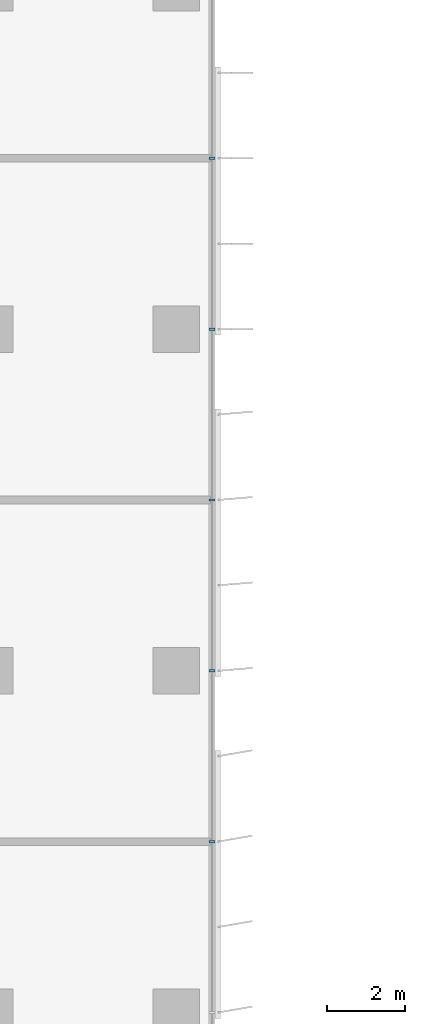
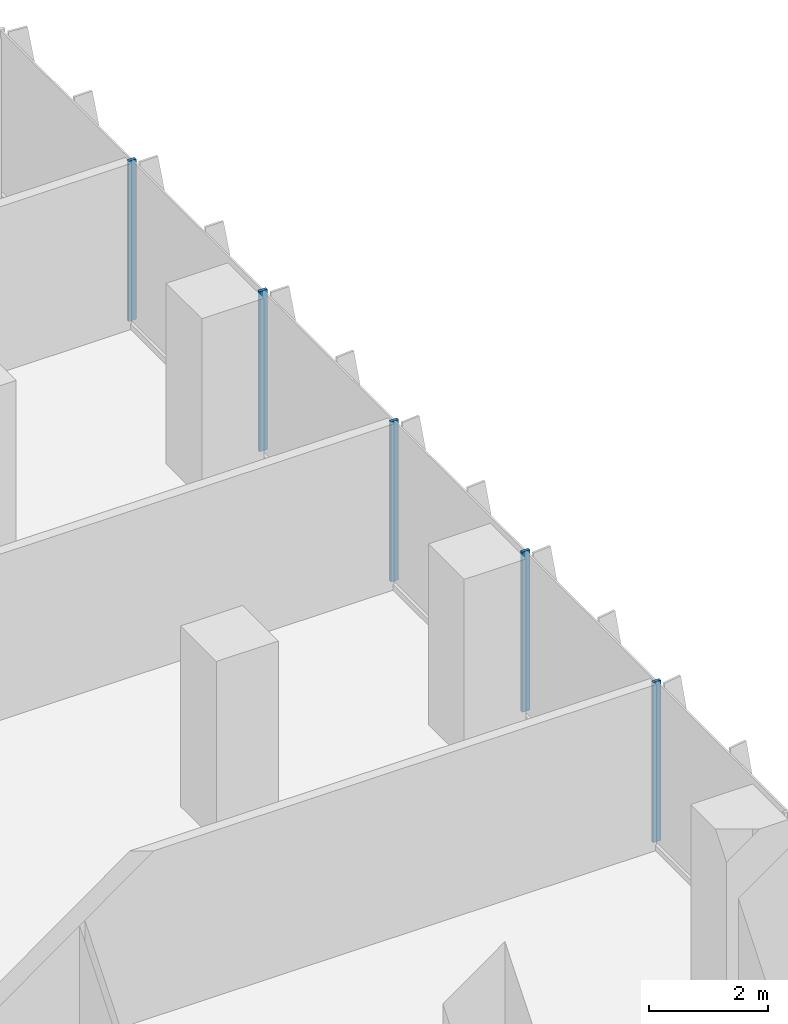
# One storey, part 5 of 22: 5 members, 1 element without a shape of its own.
"""IFC4 building model written with IfcOpenShell, lengths in metres."""

from ifc_helpers import new_model, si_unit, direction, frame, origin, origin_2d, place, context, subcontext, project, spatial, rectangle, extrude, source, transform, mapped, material, material_profile, profile_set, type_object, element, aggregate, save


model = new_model("IFC4")

# Units and contexts
model_context = context("Model", 3, precision=1e-05, world=origin(), true_north=direction((0.0, 1.0)))
body_context = subcontext(model_context, "Body", "Model", "MODEL_VIEW")
ifc_project = project(units=[si_unit("LENGTHUNIT", "METRE"), si_unit("AREAUNIT", "SQUARE_METRE"), si_unit("VOLUMEUNIT", "CUBIC_METRE"), si_unit("PLANEANGLEUNIT", "RADIAN"), si_unit("MASSUNIT", "GRAM", prefix="KILO")], contexts=[model_context])

# Site, building, storey
site_placement = place(None, origin())
site = spatial("IfcSite", under=ifc_project, at=site_placement, CompositionType="ELEMENT")
building_placement = place(site_placement, origin())
building = spatial("IfcBuilding", under=site, at=building_placement, Name="Kemantara Hotel Tower", CompositionType="ELEMENT")
storey_placement = place(building_placement, frame((0.0, 0.0, 145.699951171875)))
storey = spatial("IfcBuildingStorey", under=building, at=storey_placement, Name="L35", CompositionType="ELEMENT", Elevation=145.699951171875)

# Curtain wall, members
ifc_material_1 = material(Name="Low-E tinted double insulated glass 36 mm", Category="glass")
curtain_wall_type = type_object("IfcCurtainWallType", Name="TOWER CURTAIN WALL, FRONT FACES", PredefinedType="USERDEFINED", material=ifc_material_1)
curtain_wall_placement = place(storey_placement, origin())
curtain_wall = element("IfcCurtainWall", 1, at=curtain_wall_placement, inside=storey, type_object=curtain_wall_type, Name="CW4 L35 T2-R14-1", ObjectType="TOWER CURTAIN WALL, FRONT FACES", PredefinedType="USERDEFINED")
ifc_material_2 = material(Name="Aluminium 6063-T6 bronze anodised", Category="aluminium")
ifc_material_profile = material_profile(ifc_material_2, rectangle(XDim=0.14990234375, YDim=0.06005859375, at=origin_2d()), Name="TOWER CURTAIN WALL, FRONT FACES MULLION")
ifc_profile_set = profile_set([ifc_material_profile], Name="Aluminium 6063-T6 bronze anodised")
member_type = type_object("IfcMemberType", Name="TOWER CURTAIN WALL, FRONT FACES MULLION", PredefinedType="MULLION", material=ifc_profile_set)
shared_shape = source(origin(), body_context, "Body", "SweptSolid", [
    extrude(rectangle(XDim=0.14990234375, YDim=0.06005859375, at=origin_2d()), origin(), (0.0, 0.0, 1.0), 3.280029296875),
])
member_1_placement = place(storey_placement, frame((26.72509765625, 31.800048828125, 0.1201171875), z_axis=(0.0, 0.0, 1.0), x_axis=(-1.0, 0.0, 0.0)))
member_1 = element("IfcMember", 2, at=member_1_placement, type_object=member_type, Name="CW4 mullion T2-R14-1.4", PredefinedType="MULLION", context=body_context, shape_type="MappedRepresentation", body=[
    mapped(shared_shape, transform((0.0, 0.0, 0.0))),
])
member_2_placement = place(storey_placement, frame((26.72509765625, 36.199951171875, 0.1201171875), z_axis=(0.0, 0.0, 1.0), x_axis=(-1.0, 0.0, 0.0)))
member_2 = element("IfcMember", 3, at=member_2_placement, type_object=member_type, Name="CW4 mullion T2-R14-1.5", PredefinedType="MULLION", context=body_context, shape_type="MappedRepresentation", body=[
    mapped(shared_shape, transform((0.0, 0.0, 0.0))),
])
member_3_placement = place(storey_placement, frame((26.72509765625, 40.60009765625, 0.1201171875), z_axis=(0.0, 0.0, 1.0), x_axis=(-1.0, 0.0, 0.0)))
member_3 = element("IfcMember", 4, at=member_3_placement, type_object=member_type, Name="CW4 mullion T2-R14-1.6", PredefinedType="MULLION", context=body_context, shape_type="MappedRepresentation", body=[
    mapped(shared_shape, transform((0.0, 0.0, 0.0))),
])
member_4_placement = place(storey_placement, frame((26.72509765625, 45.0, 0.1201171875), z_axis=(0.0, 0.0, 1.0), x_axis=(-1.0, 0.0, 0.0)))
member_4 = element("IfcMember", 5, at=member_4_placement, type_object=member_type, Name="CW4 mullion T2-R14-1.7", PredefinedType="MULLION", context=body_context, shape_type="MappedRepresentation", body=[
    mapped(shared_shape, transform((0.0, 0.0, 0.0))),
])
member_5_placement = place(storey_placement, frame((26.72509765625, 49.39990234375, 0.1201171875), z_axis=(0.0, 0.0, 1.0), x_axis=(-1.0, 0.0, 0.0)))
member_5 = element("IfcMember", 6, at=member_5_placement, type_object=member_type, Name="CW4 mullion T2-R14-1.8", PredefinedType="MULLION", context=body_context, shape_type="MappedRepresentation", body=[
    mapped(shared_shape, transform((0.0, 0.0, 0.0))),
])
aggregate(curtain_wall, [member_1, member_2, member_3, member_4, member_5])

save(model, "model.ifc")
